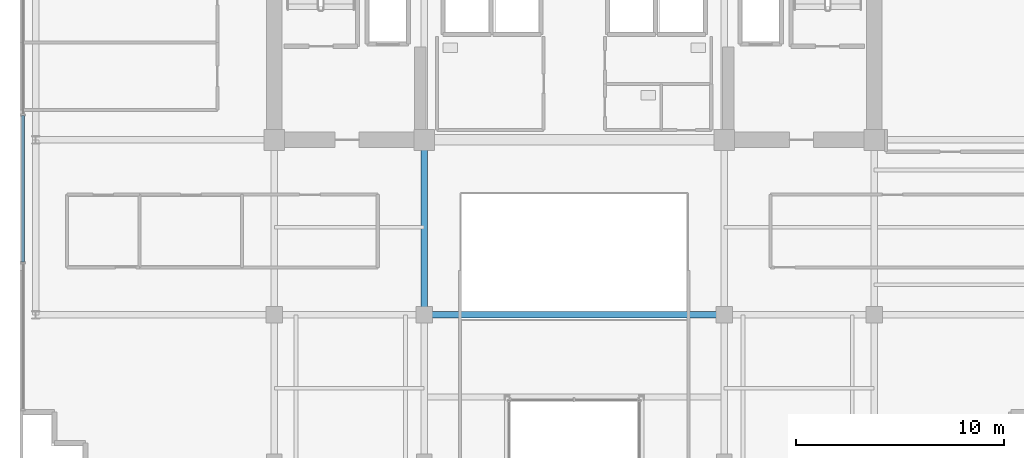
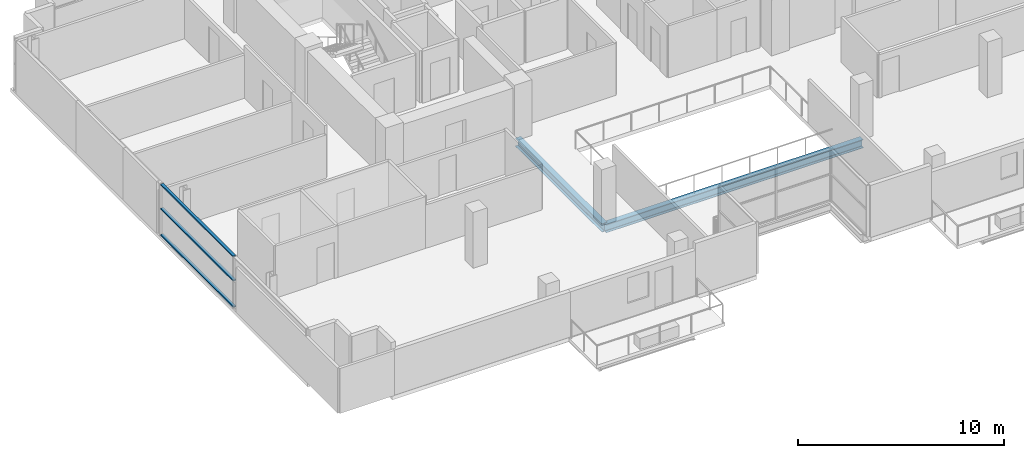
# One storey, part 8 of 25: 3 members, 2 beams, 1 element without a shape of its own.
"""IFC4 building model written with IfcOpenShell, lengths in metres."""

import ifcopenshell
import ifcopenshell.guid

model = None  # the IFC model being written
_history = None  # IfcOwnerHistory: only IFC2X3 demands one
_inside = {}  # id of a spatial element -> (the spatial element, [elements in it])
_under = {}  # id of a project, library or spatial element -> (it, [spatial elements below it])
_declared = {}  # id of a project -> (the project, [libraries it declares])
_typed = {}  # id of a type object -> (the type object, [elements of that type])
_made_of = {}  # id of a material, layer set ... -> (it, [elements and type objects made of it])


def new_model(schema):
    """Start an empty IFC model of exactly this schema.

    Asked for "IFC4X3", IfcOpenShell would pick the latest addendum, in which some entities
    have other attributes; the version numbers below select the first issue.
    IFC2X3 requires an IfcOwnerHistory on every rooted entity: one is made here for all.
    """
    global model, _history
    if schema == "IFC4X3":
        model = ifcopenshell.file(schema_version=(4, 3, 0, 0))
    else:
        model = ifcopenshell.file(schema=schema)
    _inside.clear()
    _under.clear()
    _declared.clear()
    _typed.clear()
    _made_of.clear()
    _history = None
    if model.schema == "IFC2X3":
        org = make("IfcOrganization", Name="unknown")
        user = make(
            "IfcPersonAndOrganization",
            ThePerson=make("IfcPerson", FamilyName="unknown"),
            TheOrganization=org,
        )
        app = make(
            "IfcApplication",
            ApplicationDeveloper=org,
            Version="unknown",
            ApplicationFullName="unknown",
            ApplicationIdentifier="unknown",
        )
        _history = make(
            "IfcOwnerHistory",
            OwningUser=user,
            OwningApplication=app,
            ChangeAction="ADDED",
            CreationDate=0,
        )
    return model


def make(cls, **values):
    """One entity of the class cls with the attributes given. An attribute that is None is left unset."""
    return model.create_entity(
        cls, **{name: value for name, value in values.items() if value is not None}
    )


def rooted(cls, **values):
    """An entity with a GlobalId (a new one), such as an element, a storey or a relation."""
    return make(cls, GlobalId=ifcopenshell.guid.new(), OwnerHistory=_history, **values)


def si_unit(unit_type, name, prefix=None):
    """IfcSIUnit, for example si_unit("LENGTHUNIT", "METRE", prefix="MILLI")."""
    return make("IfcSIUnit", UnitType=unit_type, Prefix=prefix, Name=name)


def assignment(units):
    """IfcUnitAssignment: the units of a project."""
    return None if units is None else make("IfcUnitAssignment", Units=units)


def point(xyz):
    """IfcCartesianPoint."""
    return None if xyz is None else make("IfcCartesianPoint", Coordinates=xyz)


def direction(xyz):
    """IfcDirection."""
    return None if xyz is None else make("IfcDirection", DirectionRatios=xyz)


def frame(location, z_axis=None, x_axis=None):
    """IfcAxis2Placement3D, a coordinate frame: its origin and axes. An axis left out is left unset."""
    return make(
        "IfcAxis2Placement3D",
        Location=point(location),
        Axis=direction(z_axis),
        RefDirection=direction(x_axis),
    )


def frame_2d(location, x_axis=None):
    """IfcAxis2Placement2D, a coordinate frame in the plane: its origin and x axis."""
    return make(
        "IfcAxis2Placement2D", Location=point(location), RefDirection=direction(x_axis)
    )


def origin():
    """The frame at (0, 0, 0) with its axes left unset."""
    return frame((0.0, 0.0, 0.0))


def origin_2d():
    """The frame at (0, 0) in the plane with its x axis left unset."""
    return frame_2d((0.0, 0.0))


def place(relative_to, where):
    """IfcLocalPlacement: puts the frame where relative to a parent placement (None: the world)."""
    return make(
        "IfcLocalPlacement", PlacementRelTo=relative_to, RelativePlacement=where
    )


def context(
    kind, dimensions, precision=None, world=None, true_north=None, identifier=None
):
    """IfcGeometricRepresentationContext, for example the 3D "Model" context."""
    return make(
        "IfcGeometricRepresentationContext",
        ContextIdentifier=identifier,
        ContextType=kind,
        CoordinateSpaceDimension=dimensions,
        Precision=precision,
        WorldCoordinateSystem=world,
        TrueNorth=true_north,
    )


def subcontext(parent, identifier, kind, view, scale=None):
    """IfcGeometricRepresentationSubContext, for example "Body" below "Model"."""
    return make(
        "IfcGeometricRepresentationSubContext",
        ContextIdentifier=identifier,
        ContextType=kind,
        ParentContext=parent,
        TargetScale=scale,
        TargetView=view,
    )


def project(units=None, contexts=None):
    """IfcProject with its units and contexts."""
    return rooted(
        "IfcProject",
        Name="project",
        RepresentationContexts=contexts,
        UnitsInContext=assignment(units),
    )


def spatial(cls, under=None, at=None, **own):
    """A site, building, storey or space (cls), placed at a placement, below another one or the project."""
    s = rooted(cls, ObjectPlacement=at, **own)
    if under is not None:
        _under.setdefault(under.id(), (under, []))[1].append(s)
    return s


def profile(cls, at=None, kind="AREA", **sizes):
    """A parametric profile (cls). Its sizes go by their IFC names, for example OverallWidth=200.0."""
    return make(cls, ProfileType=kind, Position=at, **sizes)


def hollow_rectangle(**sizes):
    """IfcRectangleHollowProfileDef."""
    return profile("IfcRectangleHollowProfileDef", **sizes)


def i_section(**sizes):
    """IfcIShapeProfileDef."""
    return profile("IfcIShapeProfileDef", **sizes)


def extrude(swept, where, along, depth):
    """IfcExtrudedAreaSolid: the profile swept, set in the frame where, extruded along a direction by depth."""
    return make(
        "IfcExtrudedAreaSolid",
        SweptArea=swept,
        Position=where,
        ExtrudedDirection=direction(along),
        Depth=depth,
    )


def shape(context_of_items, identifier, shape_type, items):
    """IfcShapeRepresentation: the items that make up one representation, for example the "Body"."""
    return make(
        "IfcShapeRepresentation",
        ContextOfItems=context_of_items,
        RepresentationIdentifier=identifier,
        RepresentationType=shape_type,
        Items=items,
    )


def source(mapping_origin, context_of_items, identifier, shape_type, items):
    """IfcRepresentationMap: a shape defined once, which mapped items show again and again."""
    return make(
        "IfcRepresentationMap",
        MappingOrigin=mapping_origin,
        MappedRepresentation=shape(context_of_items, identifier, shape_type, items),
    )


def transform(
    local_origin,
    x_axis=None,
    y_axis=None,
    z_axis=None,
    scale=None,
    scale2=None,
    scale3=None,
    uniform=True,
):
    """IfcCartesianTransformationOperator3D, or its non-uniform kind. x_axis, y_axis, z_axis: its Axis1, 2, 3."""
    if uniform:
        return make(
            "IfcCartesianTransformationOperator3D",
            Axis1=direction(x_axis),
            Axis2=direction(y_axis),
            LocalOrigin=point(local_origin),
            Scale=scale,
            Axis3=direction(z_axis),
        )
    return make(
        "IfcCartesianTransformationOperator3DnonUniform",
        Axis1=direction(x_axis),
        Axis2=direction(y_axis),
        LocalOrigin=point(local_origin),
        Scale=scale,
        Axis3=direction(z_axis),
        Scale2=scale2,
        Scale3=scale3,
    )


def mapped(mapping_source, mapping_target):
    """IfcMappedItem: shows the shape of a source again, moved by a transform."""
    return make(
        "IfcMappedItem", MappingSource=mapping_source, MappingTarget=mapping_target
    )


def material(Name=None, Category=None):
    """IfcMaterial."""
    return make("IfcMaterial", Name=Name, Category=Category)


def layer(
    of_material, thickness, ventilated=None, Name=None, Category=None, Priority=None
):
    """IfcMaterialLayer: one layer of a wall or slab, of a material (None: an air gap)."""
    return make(
        "IfcMaterialLayer",
        Material=of_material,
        LayerThickness=thickness,
        IsVentilated=ventilated,
        Name=Name,
        Category=Category,
        Priority=Priority,
    )


def layer_set(layers, Name=None):
    """IfcMaterialLayerSet."""
    return make("IfcMaterialLayerSet", MaterialLayers=layers, LayerSetName=Name)


def material_profile(
    of_material, cross_section, Name=None, Category=None, Priority=None
):
    """IfcMaterialProfile: a cross section and its material."""
    return make(
        "IfcMaterialProfile",
        Name=Name,
        Material=of_material,
        Profile=cross_section,
        Priority=Priority,
        Category=Category,
    )


def profile_set(profiles, Name=None, composite=None):
    """IfcMaterialProfileSet."""
    return make(
        "IfcMaterialProfileSet",
        Name=Name,
        MaterialProfiles=profiles,
        CompositeProfile=composite,
    )


def made_of(thing, what):
    """Note that an element or type object is made of a material, layer set ...; save() writes the relation."""
    if what is not None:
        _made_of.setdefault(what.id(), (what, []))[1].append(thing)
    return thing


def type_object(cls, material=None, **own):
    """A type object (cls), such as IfcWallType, which elements share."""
    return made_of(rooted(cls, **own), material)


def element(
    cls,
    number,
    at=None,
    inside=None,
    cuts=None,
    type_object=None,
    material=None,
    context=None,
    identifier="Body",
    shape_type=None,
    held_by="IfcProductDefinitionShape",
    body=None,
    shapes=None,
    **own,
):
    """One element of the class cls, such as IfcWall. Its Tag is "e" and its number.

    at: its placement. inside: the storey or other place that contains it. cuts: it is an
    opening in that element (IfcRelVoidsElement). A single representation is given by context,
    identifier, shape_type and body (its items); several are given by shapes. held_by: the class
    of the entity that holds the representations. save() writes the other relations.
    """
    e = rooted(cls, Tag="e%d" % number, ObjectPlacement=at, **own)
    if body is not None:
        shapes = [shape(context, identifier, shape_type, body)]
    if shapes is not None:
        e.Representation = make(held_by, Representations=shapes)
    if inside is not None:
        _inside.setdefault(inside.id(), (inside, []))[1].append(e)
    if cuts is not None:
        rooted(
            "IfcRelVoidsElement", RelatingBuildingElement=cuts, RelatedOpeningElement=e
        )
    if type_object is not None:
        _typed.setdefault(type_object.id(), (type_object, []))[1].append(e)
    return made_of(e, material)


def aggregate(whole, parts):
    """IfcRelAggregates: a whole, such as a stair, and the parts it consists of."""
    return rooted("IfcRelAggregates", RelatingObject=whole, RelatedObjects=parts)


def save(model, path):
    """Write the relations noted so far, then the file.

    IfcRelAggregates (storeys below a building ...), IfcRelContainedInSpatialStructure (elements
    in a storey), IfcRelDefinesByType, IfcRelAssociatesMaterial and IfcRelDeclares: one each for
    every whole, place, type object, material and project.
    """
    for whole, parts in _under.values():
        aggregate(whole, parts)
    for where, things in _inside.values():
        rooted(
            "IfcRelContainedInSpatialStructure",
            RelatedElements=things,
            RelatingStructure=where,
        )
    for kind, things in _typed.values():
        rooted("IfcRelDefinesByType", RelatedObjects=things, RelatingType=kind)
    for what, things in _made_of.values():
        rooted("IfcRelAssociatesMaterial", RelatedObjects=things, RelatingMaterial=what)
    for by, libraries in _declared.values():
        rooted("IfcRelDeclares", RelatingContext=by, RelatedDefinitions=libraries)
    model.write(path)


model = new_model("IFC4")

# Units and contexts
model_context = context("Model", 3, precision=1e-05, world=origin(), true_north=direction((0.0, 1.0)))
body_context = subcontext(model_context, "Body", "Model", "MODEL_VIEW")
ifc_project = project(units=[si_unit("LENGTHUNIT", "METRE"), si_unit("AREAUNIT", "SQUARE_METRE"), si_unit("VOLUMEUNIT", "CUBIC_METRE"), si_unit("PLANEANGLEUNIT", "RADIAN"), si_unit("MASSUNIT", "GRAM", prefix="KILO")], contexts=[model_context])

# Site, building, storey
site_placement = place(None, origin())
site = spatial("IfcSite", under=ifc_project, at=site_placement, CompositionType="ELEMENT")
building_placement = place(site_placement, origin())
building = spatial("IfcBuilding", under=site, at=building_placement, Name="Zarnakvel Exchange Tower", CompositionType="ELEMENT")
storey_placement = place(building_placement, frame((0.0, 0.0, 162.699951171875)))
storey = spatial("IfcBuildingStorey", under=building, at=storey_placement, Name="L45", CompositionType="ELEMENT", Elevation=162.699951171875)

# Beams
ifc_material_1 = material(Name="Steel S355", Category="steel")
ifc_material_profile_1 = material_profile(ifc_material_1, i_section(OverallWidth=0.300048828125, OverallDepth=0.5, WebThickness=0.014404296875, FlangeThickness=0.028076171875, FilletRadius=0.027099609375, at=origin_2d()))
ifc_profile_set_1 = profile_set([ifc_material_profile_1], Name="Steel S355")
beam_type = type_object("IfcBeamType", Name="G-06", PredefinedType="BEAM", material=ifc_profile_set_1)
beam_1_placement = place(storey_placement, frame((-7.199951171875, -9.60009765625, -0.474853515625), z_axis=(1.0, 0.0, 0.0), x_axis=(0.0, 1.0, 0.0)))
element("IfcBeam", 1, at=beam_1_placement, inside=storey, type_object=beam_type, Name="L45 Tower E-W Frame Beam", PredefinedType="BEAM", context=body_context, shape_type="SweptSolid", body=[
    extrude(i_section(OverallWidth=0.300048828125, OverallDepth=0.5, WebThickness=0.014404296875, FlangeThickness=0.028076171875, FilletRadius=0.027099609375, at=origin_2d()), origin(), (0.0, 0.0, 1.0), 14.39990234375),
])
beam_2_placement = place(storey_placement, frame((-7.199951171875, -9.60009765625, -0.474853515625), z_axis=(0.0, 1.0, 0.0), x_axis=(-1.0, 0.0, 0.0)))
element("IfcBeam", 2, at=beam_2_placement, inside=storey, type_object=beam_type, Name="L45 Tower N-S Frame Beam", PredefinedType="BEAM", context=body_context, shape_type="SweptSolid", body=[
    extrude(i_section(OverallWidth=0.300048828125, OverallDepth=0.5, WebThickness=0.014404296875, FlangeThickness=0.028076171875, FilletRadius=0.027099609375, at=origin_2d()), origin(), (0.0, 0.0, 1.0), 8.400146484375),
])

# Curtain wall, members
ifc_material_2 = material(Name="Architectural Bronze Anodised Aluminium", Category="aluminium")
ifc_layer = layer(ifc_material_2, 0.199951171875)
ifc_layer_set = layer_set([ifc_layer], Name="Architectural Bronze Anodised Aluminium")
curtain_wall_type = type_object("IfcCurtainWallType", Name="CW-04", PredefinedType="NOTDEFINED", material=ifc_layer_set)
curtain_wall_placement = place(storey_placement, origin())
curtain_wall = element("IfcCurtainWall", 3, at=curtain_wall_placement, inside=storey, type_object=curtain_wall_type, Name="L45 Curtain Wall CW-L45-W1 (CW-04)", PredefinedType="NOTDEFINED")
ifc_material_profile_2 = material_profile(ifc_material_2, hollow_rectangle(XDim=0.159912109375, YDim=0.074951171875, WallThickness=0.00390625, at=origin_2d()))
ifc_profile_set_2 = profile_set([ifc_material_profile_2], Name="Architectural Bronze Anodised Aluminium")
member_type = type_object("IfcMemberType", Name="CWT-04", PredefinedType="USERDEFINED", material=ifc_profile_set_2)
shared_shape = source(origin(), body_context, "Body", "SweptSolid", [
    extrude(hollow_rectangle(XDim=0.159912109375, YDim=0.074951171875, WallThickness=0.00390625, at=origin_2d()), origin(), (0.0, 0.0, 1.0), 7.02490234375),
])
member_1_placement = place(storey_placement, frame((-26.4599609375, -7.0625, 0.03759765625), z_axis=(0.0, 1.0, 0.0), x_axis=(-1.0, 0.0, 0.0)))
member_1 = element("IfcMember", 4, at=member_1_placement, type_object=member_type, Name="CW-04 transom 2.1", ObjectType="TRANSOM", PredefinedType="USERDEFINED", context=body_context, shape_type="MappedRepresentation", body=[
    mapped(shared_shape, transform((0.0, 0.0, 0.0), x_axis=(1.0, 0.0, 0.0), y_axis=(0.0, 1.0, 0.0), z_axis=(0.0, 0.0, 1.0), scale=1.0)),
])
member_2_placement = place(storey_placement, frame((-26.4599609375, -7.0625, 1.588623046875), z_axis=(0.0, 1.0, 0.0), x_axis=(-1.0, 0.0, 0.0)))
member_2 = element("IfcMember", 5, at=member_2_placement, type_object=member_type, Name="CW-04 transom 2.2", ObjectType="TRANSOM", PredefinedType="USERDEFINED", context=body_context, shape_type="MappedRepresentation", body=[
    mapped(shared_shape, transform((0.0, 0.0, 0.0), x_axis=(1.0, 0.0, 0.0), y_axis=(0.0, 1.0, 0.0), z_axis=(0.0, 0.0, 1.0), scale=1.0)),
])
member_3_placement = place(storey_placement, frame((-26.4599609375, -7.0625, 3.017578125), z_axis=(0.0, 1.0, 0.0), x_axis=(-1.0, 0.0, 0.0)))
member_3 = element("IfcMember", 6, at=member_3_placement, type_object=member_type, Name="CW-04 transom 2.3", ObjectType="TRANSOM", PredefinedType="USERDEFINED", context=body_context, shape_type="MappedRepresentation", body=[
    mapped(shared_shape, transform((0.0, 0.0, 0.0), x_axis=(1.0, 0.0, 0.0), y_axis=(0.0, 1.0, 0.0), z_axis=(0.0, 0.0, 1.0), scale=1.0)),
])
aggregate(curtain_wall, [member_1, member_2, member_3])

save(model, "model.ifc")
